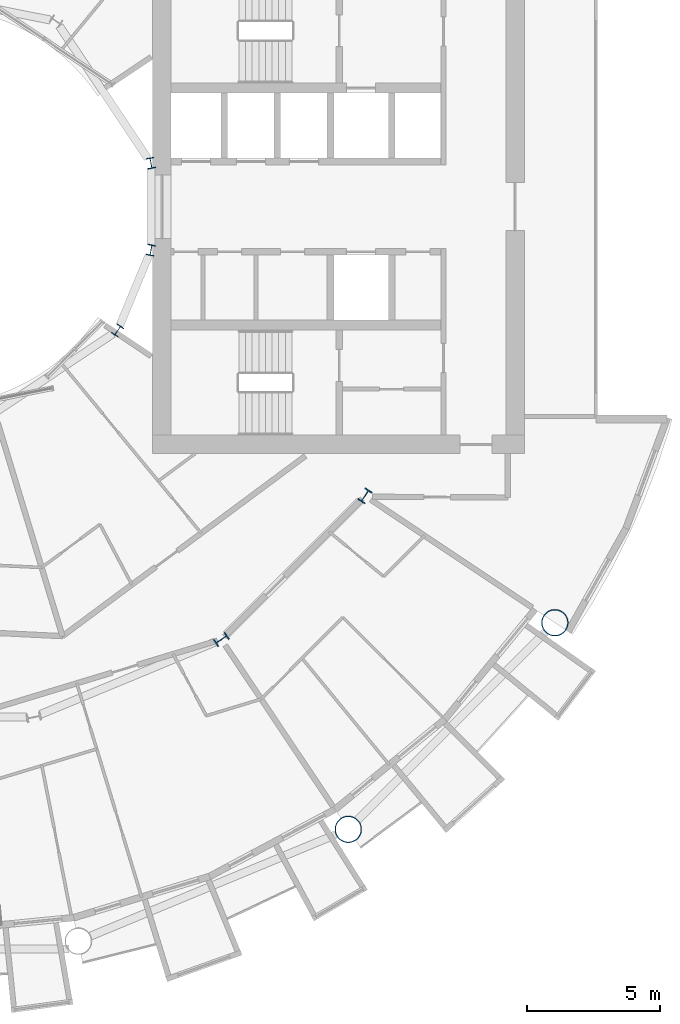
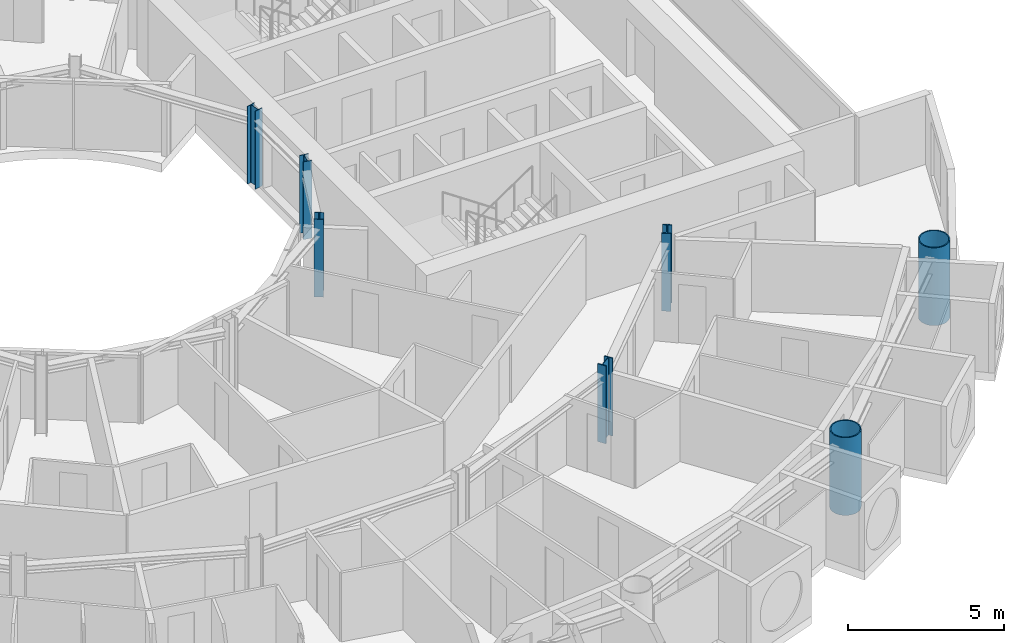
# One storey, part 2 of 26: 7 columns.
"""IFC4 building model written with IfcOpenShell, lengths in metres."""

from ifc_helpers import new_model, si_unit, direction, frame, origin, origin_2d, place, context, subcontext, project, spatial, hollow_circle, i_section, extrude, material, material_profile, profile_set, type_object, element, save


model = new_model("IFC4")

# Units and contexts
model_context = context("Model", 3, precision=1e-05, world=origin(), true_north=direction((0.0, 1.0)))
body_context = subcontext(model_context, "Body", "Model", "MODEL_VIEW")
ifc_project = project(units=[si_unit("LENGTHUNIT", "METRE"), si_unit("AREAUNIT", "SQUARE_METRE"), si_unit("VOLUMEUNIT", "CUBIC_METRE"), si_unit("PLANEANGLEUNIT", "RADIAN"), si_unit("MASSUNIT", "GRAM", prefix="KILO")], contexts=[model_context])

# Site, building, storey
site_placement = place(None, origin())
site = spatial("IfcSite", under=ifc_project, at=site_placement, CompositionType="ELEMENT")
building_placement = place(site_placement, origin())
building = spatial("IfcBuilding", under=site, at=building_placement, Name="Maasbend Ring Residences", CompositionType="ELEMENT")
storey_placement = place(building_placement, frame((0.0, 0.0, 69.699951171875)))
storey = spatial("IfcBuildingStorey", under=building, at=storey_placement, Name="L19", CompositionType="ELEMENT", Elevation=69.699951171875)

# Columns
ifc_material_1 = material(Name="Composite concrete-filled steel tube S460NH / C80/95", Category="concrete")
ifc_material_profile_1 = material_profile(ifc_material_1, hollow_circle(Radius=0.508056640625, WallThickness=0.0400390625, at=origin_2d()), Name="Composite tube column CHS 1016x40")
ifc_profile_set_1 = profile_set([ifc_material_profile_1], Name="Composite concrete-filled steel tube S460NH / C80/95")
column_type_1 = type_object("IfcColumnType", Name="Composite tube column CHS 1016x40", PredefinedType="COLUMN", material=ifc_profile_set_1)
for number, where, z_axis, x_axis, name in (
    (1, (15.6669921875, -23.447509765625, 0.0), (0.0, 0.0, 1.0), (1.0, 0.0, 0.0), "Outer column R14"),
    (2, (23.447509765625, -15.6669921875, 0.0), (0.0, 0.0, 1.0), (1.0, 0.0, 0.0), "Outer column R15"),
):
    element("IfcColumn", number, at=place(storey_placement, frame(where, z_axis=z_axis, x_axis=x_axis)), inside=storey, type_object=column_type_1, Name=name, PredefinedType="COLUMN", context=body_context, shape_type="SweptSolid", body=[
        extrude(hollow_circle(Radius=0.508056640625, WallThickness=0.0400390625, at=origin_2d()), origin(), (0.0, 0.0, 1.0), 3.050048828125),
    ])
ifc_material_2 = material(Name="Steel S355J2", Category="steel")
ifc_material_profile_2 = material_profile(ifc_material_2, i_section(OverallWidth=0.300048828125, OverallDepth=0.39990234375, WebThickness=0.013427734375, FlangeThickness=0.02392578125, FilletRadius=0.027099609375, at=origin_2d()), Name="HEB 400")
ifc_profile_set_2 = profile_set([ifc_material_profile_2], Name="Steel S355J2")
column_type_2 = type_object("IfcColumnType", Name="Steel column HEB 400", PredefinedType="COLUMN", material=ifc_profile_set_2)
for number, where, z_axis, x_axis, name in (
    (3, (8.238525390625, 1.638916015625, 0.0), (0.0, 0.0, 1.0), (0.980785280403, 0.195090322016, 0.0), "Well ring column R1"),
    (4, (6.984375, -4.666748046875, 0.0), (0.0, 0.0, 1.0), (0.831469612303, -0.55557023302, 0.0), "Well ring column R15"),
    (5, (8.238525390625, -1.638916015625, 0.0), (0.0, 0.0, 1.0), (0.980785280403, -0.195090322016, 0.0), "Well ring column R16"),
):
    element("IfcColumn", number, at=place(storey_placement, frame(where, z_axis=z_axis, x_axis=x_axis)), inside=storey, type_object=column_type_2, Name=name, PredefinedType="COLUMN", context=body_context, shape_type="SweptSolid", body=[
        extrude(i_section(OverallWidth=0.300048828125, OverallDepth=0.39990234375, WebThickness=0.013427734375, FlangeThickness=0.02392578125, FilletRadius=0.027099609375, at=origin_2d()), origin(), (0.0, 0.0, 1.0), 3.050048828125),
    ])
ifc_material_3 = material(Name="Steel S460M", Category="steel")
ifc_material_profile_3 = material_profile(ifc_material_3, i_section(OverallWidth=0.305908203125, OverallDepth=0.52392578125, WebThickness=0.02099609375, FlangeThickness=0.0400390625, FilletRadius=0.027099609375, at=origin_2d()), Name="HEM 500")
ifc_profile_set_3 = profile_set([ifc_material_profile_3], Name="Steel S460M")
column_type_3 = type_object("IfcColumnType", Name="Steel column HEM 500", PredefinedType="COLUMN", material=ifc_profile_set_3)
for number, where, z_axis, x_axis, name in (
    (6, (10.88916015625, -16.296875, 0.0), (0.0, 0.0, 1.0), (0.55557023302, -0.831469612303, 0.0), "Corridor ring column R14"),
    (7, (16.296875, -10.88916015625, 0.0), (0.0, 0.0, 1.0), (0.831469612303, -0.55557023302, 0.0), "Corridor ring column R15"),
):
    element("IfcColumn", number, at=place(storey_placement, frame(where, z_axis=z_axis, x_axis=x_axis)), inside=storey, type_object=column_type_3, Name=name, PredefinedType="COLUMN", context=body_context, shape_type="SweptSolid", body=[
        extrude(i_section(OverallWidth=0.305908203125, OverallDepth=0.52392578125, WebThickness=0.02099609375, FlangeThickness=0.0400390625, FilletRadius=0.027099609375, at=origin_2d()), origin(), (0.0, 0.0, 1.0), 3.050048828125),
    ])

save(model, "model.ifc")
